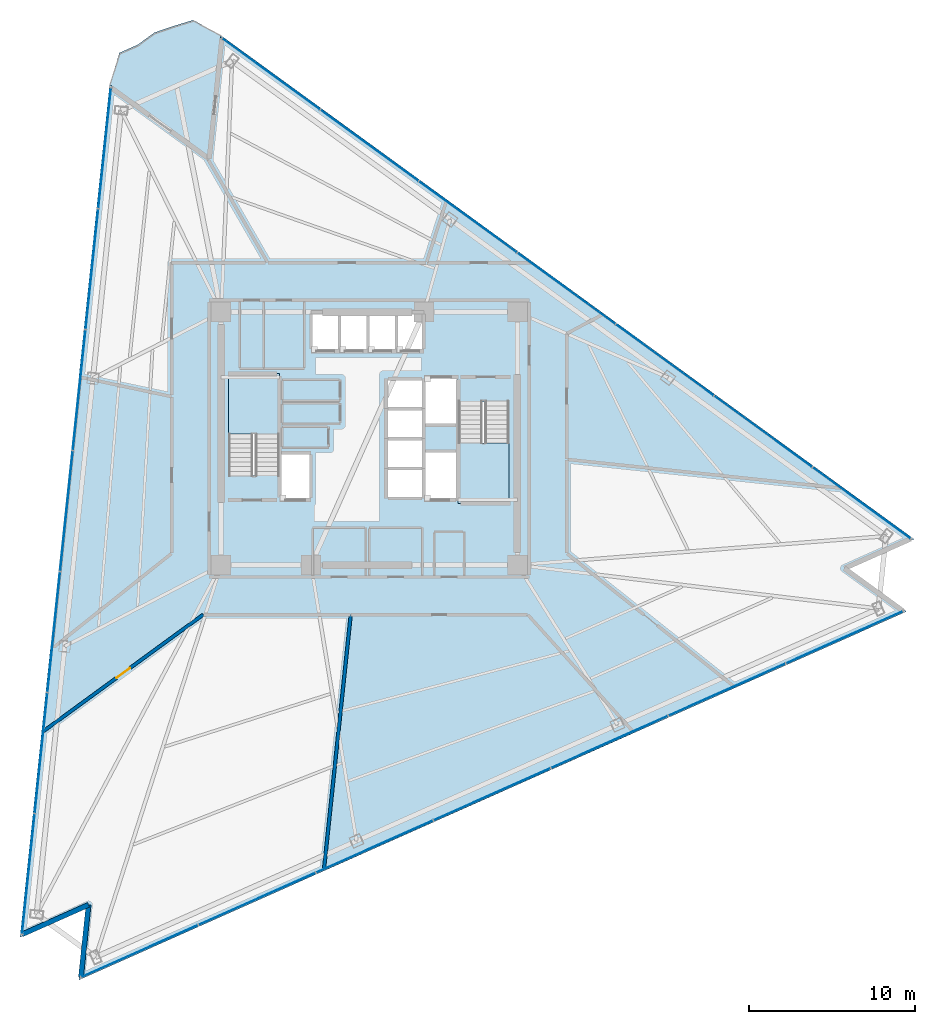
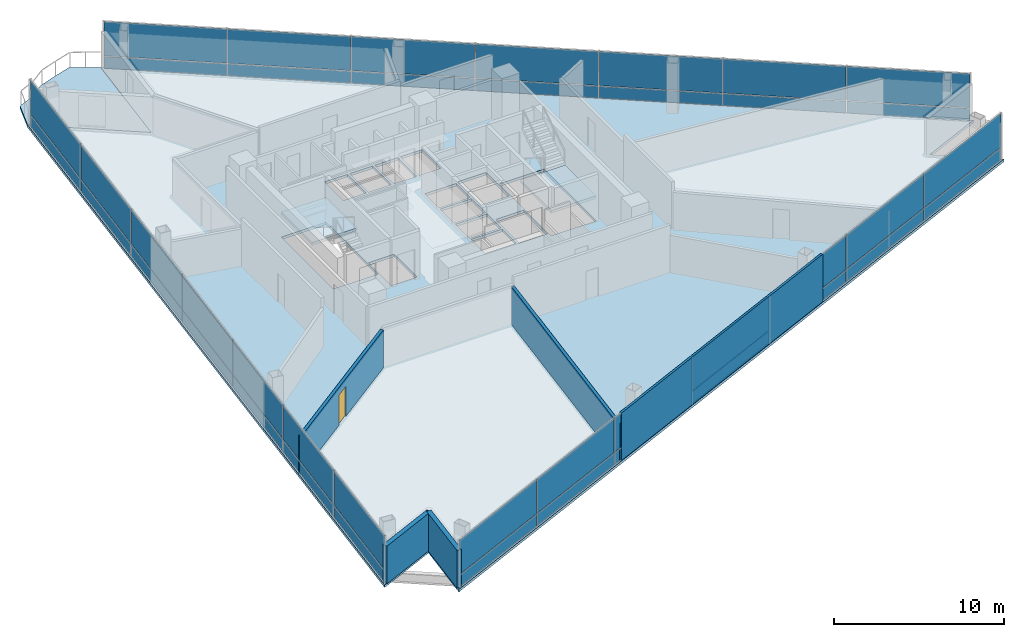
# One storey, part 10 of 19: 42 plates, 5 walls, 4 slabs, 1 door, 1 opening, 5 elements without a shape of their own.
"""IFC4 building model written with IfcOpenShell, lengths in metres."""

import ifcopenshell
import ifcopenshell.guid

model = None  # the IFC model being written
_history = None  # IfcOwnerHistory: only IFC2X3 demands one
_inside = {}  # id of a spatial element -> (the spatial element, [elements in it])
_under = {}  # id of a project, library or spatial element -> (it, [spatial elements below it])
_declared = {}  # id of a project -> (the project, [libraries it declares])
_typed = {}  # id of a type object -> (the type object, [elements of that type])
_made_of = {}  # id of a material, layer set ... -> (it, [elements and type objects made of it])


def new_model(schema):
    """Start an empty IFC model of exactly this schema.

    Asked for "IFC4X3", IfcOpenShell would pick the latest addendum, in which some entities
    have other attributes; the version numbers below select the first issue.
    IFC2X3 requires an IfcOwnerHistory on every rooted entity: one is made here for all.
    """
    global model, _history
    if schema == "IFC4X3":
        model = ifcopenshell.file(schema_version=(4, 3, 0, 0))
    else:
        model = ifcopenshell.file(schema=schema)
    _inside.clear()
    _under.clear()
    _declared.clear()
    _typed.clear()
    _made_of.clear()
    _history = None
    if model.schema == "IFC2X3":
        org = make("IfcOrganization", Name="unknown")
        user = make(
            "IfcPersonAndOrganization",
            ThePerson=make("IfcPerson", FamilyName="unknown"),
            TheOrganization=org,
        )
        app = make(
            "IfcApplication",
            ApplicationDeveloper=org,
            Version="unknown",
            ApplicationFullName="unknown",
            ApplicationIdentifier="unknown",
        )
        _history = make(
            "IfcOwnerHistory",
            OwningUser=user,
            OwningApplication=app,
            ChangeAction="ADDED",
            CreationDate=0,
        )
    return model


def make(cls, **values):
    """One entity of the class cls with the attributes given. An attribute that is None is left unset."""
    return model.create_entity(
        cls, **{name: value for name, value in values.items() if value is not None}
    )


def rooted(cls, **values):
    """An entity with a GlobalId (a new one), such as an element, a storey or a relation."""
    return make(cls, GlobalId=ifcopenshell.guid.new(), OwnerHistory=_history, **values)


def si_unit(unit_type, name, prefix=None):
    """IfcSIUnit, for example si_unit("LENGTHUNIT", "METRE", prefix="MILLI")."""
    return make("IfcSIUnit", UnitType=unit_type, Prefix=prefix, Name=name)


def assignment(units):
    """IfcUnitAssignment: the units of a project."""
    return None if units is None else make("IfcUnitAssignment", Units=units)


def point(xyz):
    """IfcCartesianPoint."""
    return None if xyz is None else make("IfcCartesianPoint", Coordinates=xyz)


def direction(xyz):
    """IfcDirection."""
    return None if xyz is None else make("IfcDirection", DirectionRatios=xyz)


def frame(location, z_axis=None, x_axis=None):
    """IfcAxis2Placement3D, a coordinate frame: its origin and axes. An axis left out is left unset."""
    return make(
        "IfcAxis2Placement3D",
        Location=point(location),
        Axis=direction(z_axis),
        RefDirection=direction(x_axis),
    )


def frame_2d(location, x_axis=None):
    """IfcAxis2Placement2D, a coordinate frame in the plane: its origin and x axis."""
    return make(
        "IfcAxis2Placement2D", Location=point(location), RefDirection=direction(x_axis)
    )


def origin():
    """The frame at (0, 0, 0) with its axes left unset."""
    return frame((0.0, 0.0, 0.0))


def origin_2d():
    """The frame at (0, 0) in the plane with its x axis left unset."""
    return frame_2d((0.0, 0.0))


def place(relative_to, where):
    """IfcLocalPlacement: puts the frame where relative to a parent placement (None: the world)."""
    return make(
        "IfcLocalPlacement", PlacementRelTo=relative_to, RelativePlacement=where
    )


def context(
    kind, dimensions, precision=None, world=None, true_north=None, identifier=None
):
    """IfcGeometricRepresentationContext, for example the 3D "Model" context."""
    return make(
        "IfcGeometricRepresentationContext",
        ContextIdentifier=identifier,
        ContextType=kind,
        CoordinateSpaceDimension=dimensions,
        Precision=precision,
        WorldCoordinateSystem=world,
        TrueNorth=true_north,
    )


def subcontext(parent, identifier, kind, view, scale=None):
    """IfcGeometricRepresentationSubContext, for example "Body" below "Model"."""
    return make(
        "IfcGeometricRepresentationSubContext",
        ContextIdentifier=identifier,
        ContextType=kind,
        ParentContext=parent,
        TargetScale=scale,
        TargetView=view,
    )


def project(units=None, contexts=None):
    """IfcProject with its units and contexts."""
    return rooted(
        "IfcProject",
        Name="project",
        RepresentationContexts=contexts,
        UnitsInContext=assignment(units),
    )


def spatial(cls, under=None, at=None, **own):
    """A site, building, storey or space (cls), placed at a placement, below another one or the project."""
    s = rooted(cls, ObjectPlacement=at, **own)
    if under is not None:
        _under.setdefault(under.id(), (under, []))[1].append(s)
    return s


def polyline(points):
    """IfcPolyline through the points."""
    return make("IfcPolyline", Points=[point(p) for p in points])


def profile(cls, at=None, kind="AREA", **sizes):
    """A parametric profile (cls). Its sizes go by their IFC names, for example OverallWidth=200.0."""
    return make(cls, ProfileType=kind, Position=at, **sizes)


def rectangle(**sizes):
    """IfcRectangleProfileDef."""
    return profile("IfcRectangleProfileDef", **sizes)


def outline(outer, holes=None, kind="AREA"):
    """IfcArbitraryClosedProfileDef: a profile drawn as a closed curve; with holes, ...WithVoids."""
    if holes is None:
        return make("IfcArbitraryClosedProfileDef", ProfileType=kind, OuterCurve=outer)
    return make(
        "IfcArbitraryProfileDefWithVoids",
        ProfileType=kind,
        OuterCurve=outer,
        InnerCurves=holes,
    )


def extrude(swept, where, along, depth):
    """IfcExtrudedAreaSolid: the profile swept, set in the frame where, extruded along a direction by depth."""
    return make(
        "IfcExtrudedAreaSolid",
        SweptArea=swept,
        Position=where,
        ExtrudedDirection=direction(along),
        Depth=depth,
    )


def shape(context_of_items, identifier, shape_type, items):
    """IfcShapeRepresentation: the items that make up one representation, for example the "Body"."""
    return make(
        "IfcShapeRepresentation",
        ContextOfItems=context_of_items,
        RepresentationIdentifier=identifier,
        RepresentationType=shape_type,
        Items=items,
    )


def material(Name=None, Category=None):
    """IfcMaterial."""
    return make("IfcMaterial", Name=Name, Category=Category)


def layer(
    of_material, thickness, ventilated=None, Name=None, Category=None, Priority=None
):
    """IfcMaterialLayer: one layer of a wall or slab, of a material (None: an air gap)."""
    return make(
        "IfcMaterialLayer",
        Material=of_material,
        LayerThickness=thickness,
        IsVentilated=ventilated,
        Name=Name,
        Category=Category,
        Priority=Priority,
    )


def layer_set(layers, Name=None):
    """IfcMaterialLayerSet."""
    return make("IfcMaterialLayerSet", MaterialLayers=layers, LayerSetName=Name)


def made_of(thing, what):
    """Note that an element or type object is made of a material, layer set ...; save() writes the relation."""
    if what is not None:
        _made_of.setdefault(what.id(), (what, []))[1].append(thing)
    return thing


def type_object(cls, material=None, **own):
    """A type object (cls), such as IfcWallType, which elements share."""
    return made_of(rooted(cls, **own), material)


def element(
    cls,
    number,
    at=None,
    inside=None,
    cuts=None,
    type_object=None,
    material=None,
    context=None,
    identifier="Body",
    shape_type=None,
    held_by="IfcProductDefinitionShape",
    body=None,
    shapes=None,
    **own,
):
    """One element of the class cls, such as IfcWall. Its Tag is "e" and its number.

    at: its placement. inside: the storey or other place that contains it. cuts: it is an
    opening in that element (IfcRelVoidsElement). A single representation is given by context,
    identifier, shape_type and body (its items); several are given by shapes. held_by: the class
    of the entity that holds the representations. save() writes the other relations.
    """
    e = rooted(cls, Tag="e%d" % number, ObjectPlacement=at, **own)
    if body is not None:
        shapes = [shape(context, identifier, shape_type, body)]
    if shapes is not None:
        e.Representation = make(held_by, Representations=shapes)
    if inside is not None:
        _inside.setdefault(inside.id(), (inside, []))[1].append(e)
    if cuts is not None:
        rooted(
            "IfcRelVoidsElement", RelatingBuildingElement=cuts, RelatedOpeningElement=e
        )
    if type_object is not None:
        _typed.setdefault(type_object.id(), (type_object, []))[1].append(e)
    return made_of(e, material)


def fill(opening, filler):
    """IfcRelFillsElement: the door or window that sits in an opening."""
    return rooted(
        "IfcRelFillsElement",
        RelatingOpeningElement=opening,
        RelatedBuildingElement=filler,
    )


def aggregate(whole, parts):
    """IfcRelAggregates: a whole, such as a stair, and the parts it consists of."""
    return rooted("IfcRelAggregates", RelatingObject=whole, RelatedObjects=parts)


def save(model, path):
    """Write the relations noted so far, then the file.

    IfcRelAggregates (storeys below a building ...), IfcRelContainedInSpatialStructure (elements
    in a storey), IfcRelDefinesByType, IfcRelAssociatesMaterial and IfcRelDeclares: one each for
    every whole, place, type object, material and project.
    """
    for whole, parts in _under.values():
        aggregate(whole, parts)
    for where, things in _inside.values():
        rooted(
            "IfcRelContainedInSpatialStructure",
            RelatedElements=things,
            RelatingStructure=where,
        )
    for kind, things in _typed.values():
        rooted("IfcRelDefinesByType", RelatedObjects=things, RelatingType=kind)
    for what, things in _made_of.values():
        rooted("IfcRelAssociatesMaterial", RelatedObjects=things, RelatingMaterial=what)
    for by, libraries in _declared.values():
        rooted("IfcRelDeclares", RelatingContext=by, RelatedDefinitions=libraries)
    model.write(path)


model = new_model("IFC4")

# Units and contexts
model_context = context("Model", 3, precision=1e-05, world=origin(), true_north=direction((0.0, 1.0)))
body_context = subcontext(model_context, "Body", "Model", "MODEL_VIEW")
ifc_project = project(units=[si_unit("LENGTHUNIT", "METRE"), si_unit("AREAUNIT", "SQUARE_METRE"), si_unit("VOLUMEUNIT", "CUBIC_METRE"), si_unit("PLANEANGLEUNIT", "RADIAN"), si_unit("MASSUNIT", "GRAM", prefix="KILO")], contexts=[model_context])

# Site, building, storey
site_placement = place(None, origin())
site = spatial("IfcSite", under=ifc_project, at=site_placement, CompositionType="ELEMENT")
building_placement = place(site_placement, origin())
building = spatial("IfcBuilding", under=site, at=building_placement, Name="Tharavind Bronze Gate", CompositionType="ELEMENT")
storey_placement = place(building_placement, frame((0.0, 0.0, 126.85009765625)))
storey = spatial("IfcBuildingStorey", under=building, at=storey_placement, Name="L32", CompositionType="ELEMENT", Elevation=126.85009765625)

# Curtain wall, plates
ifc_material_1 = material(Name="Anodised Bronze Aluminium", Category="aluminium")
ifc_layer_1 = layer(ifc_material_1, 0.219970703125)
ifc_layer_set_1 = layer_set([ifc_layer_1], Name="Anodised Bronze Aluminium")
curtain_wall_type = type_object("IfcCurtainWallType", Name="UNITISED CURTAIN WALL LOWER OFFICE", PredefinedType="USERDEFINED", material=ifc_layer_set_1)
curtain_wall_1_placement = place(storey_placement, origin())
curtain_wall_1 = element("IfcCurtainWall", 1, at=curtain_wall_1_placement, inside=storey, type_object=curtain_wall_type, Name="L32 unitised curtain wall lower office CW-L32-S1", ObjectType="UNITISED CURTAIN WALL", PredefinedType="USERDEFINED")
ifc_material_2 = material(Name="Patinated Bronze Alloy Sheet", Category="bronze")
ifc_layer_2 = layer(ifc_material_2, 0.01611328125)
ifc_layer_set_2 = layer_set([ifc_layer_2], Name="Patinated Bronze Alloy Sheet")
plate_type_1 = type_object("IfcPlateType", Name="BRONZE SPANDREL CLADDING PANEL 16", PredefinedType="CURTAIN_PANEL", material=ifc_layer_set_2)
plate_1_placement = place(storey_placement, frame((-15.909912109375, 17.465087890625, 0.0263671875), z_axis=(0.0, 0.0, 1.0), x_axis=(-0.104526727499, -0.994522077803, 0.0)))
plate_1 = element("IfcPlate", 2, at=plate_1_placement, type_object=plate_type_1, Name="CW-L32-S1 bronze spandrel panel 1", PredefinedType="CURTAIN_PANEL", context=body_context, shape_type="SweptSolid", body=[
    extrude(rectangle(XDim=7.26025390625, YDim=0.01611328125, at=origin_2d()), origin(), (0.0, 0.0, 1.0), 0.846923828125),
])
plate_2_placement = place(storey_placement, frame((-16.67431640625, 10.19189453125, 0.0263671875), z_axis=(0.0, 0.0, 1.0), x_axis=(-0.104526727499, -0.994522077803, 0.0)))
plate_2 = element("IfcPlate", 3, at=plate_2_placement, type_object=plate_type_1, Name="CW-L32-S1 bronze spandrel panel 2", PredefinedType="CURTAIN_PANEL", context=body_context, shape_type="SweptSolid", body=[
    extrude(rectangle(XDim=7.26025390625, YDim=0.01611328125, at=origin_2d()), origin(), (0.0, 0.0, 1.0), 0.846923828125),
])
plate_3_placement = place(storey_placement, frame((-17.438720703125, 2.91845703125, 0.0263671875), z_axis=(0.0, 0.0, 1.0), x_axis=(-0.104526727499, -0.994522077803, 0.0)))
plate_3 = element("IfcPlate", 4, at=plate_3_placement, type_object=plate_type_1, Name="CW-L32-S1 bronze spandrel panel 3", PredefinedType="CURTAIN_PANEL", context=body_context, shape_type="SweptSolid", body=[
    extrude(rectangle(XDim=7.26025390625, YDim=0.01611328125, at=origin_2d()), origin(), (0.0, 0.0, 1.0), 0.846923828125),
])
plate_4_placement = place(storey_placement, frame((-18.203125, -4.354736328125, 0.0263671875), z_axis=(0.0, 0.0, 1.0), x_axis=(-0.104526727499, -0.994522077803, 0.0)))
plate_4 = element("IfcPlate", 5, at=plate_4_placement, type_object=plate_type_1, Name="CW-L32-S1 bronze spandrel panel 4", PredefinedType="CURTAIN_PANEL", context=body_context, shape_type="SweptSolid", body=[
    extrude(rectangle(XDim=7.26025390625, YDim=0.01611328125, at=origin_2d()), origin(), (0.0, 0.0, 1.0), 0.846923828125),
])
plate_5_placement = place(storey_placement, frame((-18.967529296875, -11.628173828125, 0.0263671875), z_axis=(0.0, 0.0, 1.0), x_axis=(-0.104526727499, -0.994522077803, 0.0)))
plate_5 = element("IfcPlate", 6, at=plate_5_placement, type_object=plate_type_1, Name="CW-L32-S1 bronze spandrel panel 5", PredefinedType="CURTAIN_PANEL", context=body_context, shape_type="SweptSolid", body=[
    extrude(rectangle(XDim=7.26025390625, YDim=0.01611328125, at=origin_2d()), origin(), (0.0, 0.0, 1.0), 0.846923828125),
])
plate_6_placement = place(storey_placement, frame((-19.73193359375, -18.9013671875, 0.0263671875), z_axis=(0.0, 0.0, 1.0), x_axis=(-0.104526727499, -0.994522077803, 0.0)))
plate_6 = element("IfcPlate", 7, at=plate_6_placement, type_object=plate_type_1, Name="CW-L32-S1 bronze spandrel panel 6", PredefinedType="CURTAIN_PANEL", context=body_context, shape_type="SweptSolid", body=[
    extrude(rectangle(XDim=7.26025390625, YDim=0.01611328125, at=origin_2d()), origin(), (0.0, 0.0, 1.0), 0.846923828125),
])
plate_7_placement = place(storey_placement, frame((-20.49658203125, -26.1748046875, 0.0263671875), z_axis=(0.0, 0.0, 1.0), x_axis=(-0.104526727499, -0.994522077803, 0.0)))
plate_7 = element("IfcPlate", 8, at=plate_7_placement, type_object=plate_type_1, Name="CW-L32-S1 bronze spandrel panel 7", PredefinedType="CURTAIN_PANEL", context=body_context, shape_type="SweptSolid", body=[
    extrude(rectangle(XDim=7.26025390625, YDim=0.01611328125, at=origin_2d()), origin(), (0.0, 0.0, 1.0), 0.846923828125),
])

curtain_wall_2_placement = place(storey_placement, origin())
curtain_wall_2 = element("IfcCurtainWall", 9, at=curtain_wall_2_placement, inside=storey, type_object=curtain_wall_type, Name="L32 unitised curtain wall lower office CW-L32-S2", ObjectType="UNITISED CURTAIN WALL", PredefinedType="USERDEFINED")
plate_8_placement = place(storey_placement, frame((-13.80419921875, -30.813720703125, 0.0263671875), z_axis=(0.0, 0.0, 1.0), x_axis=(0.913545457643, 0.406736643076, 0.0)))
plate_8 = element("IfcPlate", 10, at=plate_8_placement, type_object=plate_type_1, Name="CW-L32-S2 bronze spandrel panel 1", PredefinedType="CURTAIN_PANEL", context=body_context, shape_type="SweptSolid", body=[
    extrude(rectangle(XDim=7.677490234375, YDim=0.01611328125, at=origin_2d()), origin(), (0.0, 0.0, 1.0), 0.846923828125),
])
plate_9_placement = place(storey_placement, frame((-6.741943359375, -27.66943359375, 0.0263671875), z_axis=(0.0, 0.0, 1.0), x_axis=(0.913545457643, 0.406736643076, 0.0)))
plate_9 = element("IfcPlate", 11, at=plate_9_placement, type_object=plate_type_1, Name="CW-L32-S2 bronze spandrel panel 2", PredefinedType="CURTAIN_PANEL", context=body_context, shape_type="SweptSolid", body=[
    extrude(rectangle(XDim=7.677490234375, YDim=0.01611328125, at=origin_2d()), origin(), (0.0, 0.0, 1.0), 0.846923828125),
])
plate_10_placement = place(storey_placement, frame((0.3203125, -24.525146484375, 0.0263671875), z_axis=(0.0, 0.0, 1.0), x_axis=(0.913545457643, 0.406736643076, 0.0)))
plate_10 = element("IfcPlate", 12, at=plate_10_placement, type_object=plate_type_1, Name="CW-L32-S2 bronze spandrel panel 3", PredefinedType="CURTAIN_PANEL", context=body_context, shape_type="SweptSolid", body=[
    extrude(rectangle(XDim=7.677490234375, YDim=0.01611328125, at=origin_2d()), origin(), (0.0, 0.0, 1.0), 0.846923828125),
])
plate_11_placement = place(storey_placement, frame((7.38232421875, -21.380859375, 0.0263671875), z_axis=(0.0, 0.0, 1.0), x_axis=(0.913545457643, 0.406736643076, 0.0)))
plate_11 = element("IfcPlate", 13, at=plate_11_placement, type_object=plate_type_1, Name="CW-L32-S2 bronze spandrel panel 4", PredefinedType="CURTAIN_PANEL", context=body_context, shape_type="SweptSolid", body=[
    extrude(rectangle(XDim=7.677490234375, YDim=0.01611328125, at=origin_2d()), origin(), (0.0, 0.0, 1.0), 0.846923828125),
])
plate_12_placement = place(storey_placement, frame((14.4443359375, -18.236572265625, 0.0263671875), z_axis=(0.0, 0.0, 1.0), x_axis=(0.913545457643, 0.406736643076, 0.0)))
plate_12 = element("IfcPlate", 14, at=plate_12_placement, type_object=plate_type_1, Name="CW-L32-S2 bronze spandrel panel 5", PredefinedType="CURTAIN_PANEL", context=body_context, shape_type="SweptSolid", body=[
    extrude(rectangle(XDim=7.677490234375, YDim=0.01611328125, at=origin_2d()), origin(), (0.0, 0.0, 1.0), 0.846923828125),
])
plate_13_placement = place(storey_placement, frame((21.506591796875, -15.09228515625, 0.0263671875), z_axis=(0.0, 0.0, 1.0), x_axis=(0.913545457643, 0.406736643076, 0.0)))
plate_13 = element("IfcPlate", 15, at=plate_13_placement, type_object=plate_type_1, Name="CW-L32-S2 bronze spandrel panel 6", PredefinedType="CURTAIN_PANEL", context=body_context, shape_type="SweptSolid", body=[
    extrude(rectangle(XDim=7.677490234375, YDim=0.01611328125, at=origin_2d()), origin(), (0.0, 0.0, 1.0), 0.846923828125),
])
plate_14_placement = place(storey_placement, frame((28.568603515625, -11.947998046875, 0.0263671875), z_axis=(0.0, 0.0, 1.0), x_axis=(0.913545457643, 0.406736643076, 0.0)))
plate_14 = element("IfcPlate", 16, at=plate_14_placement, type_object=plate_type_1, Name="CW-L32-S2 bronze spandrel panel 7", PredefinedType="CURTAIN_PANEL", context=body_context, shape_type="SweptSolid", body=[
    extrude(rectangle(XDim=7.677490234375, YDim=0.01611328125, at=origin_2d()), origin(), (0.0, 0.0, 1.0), 0.846923828125),
])

curtain_wall_3_placement = place(storey_placement, origin())
curtain_wall_3 = element("IfcCurtainWall", 17, at=curtain_wall_3_placement, inside=storey, type_object=curtain_wall_type, Name="L32 unitised curtain wall lower office CW-L32-S3", ObjectType="UNITISED CURTAIN WALL", PredefinedType="USERDEFINED")
plate_15_placement = place(storey_placement, frame((29.599365234375, -3.87060546875, 0.0263671875), z_axis=(0.0, 0.0, 1.0), x_axis=(-0.809016994375, 0.587785252292, 0.0)))
plate_15 = element("IfcPlate", 18, at=plate_15_placement, type_object=plate_type_1, Name="CW-L32-S3 bronze spandrel panel 1", PredefinedType="CURTAIN_PANEL", context=body_context, shape_type="SweptSolid", body=[
    extrude(rectangle(XDim=7.260498046875, YDim=0.01611328125, at=origin_2d()), origin(), (0.0, 0.0, 1.0), 0.846923828125),
])
plate_16_placement = place(storey_placement, frame((23.6826171875, 0.427978515625, 0.0263671875), z_axis=(0.0, 0.0, 1.0), x_axis=(-0.809016994375, 0.587785252292, 0.0)))
plate_16 = element("IfcPlate", 19, at=plate_16_placement, type_object=plate_type_1, Name="CW-L32-S3 bronze spandrel panel 2", PredefinedType="CURTAIN_PANEL", context=body_context, shape_type="SweptSolid", body=[
    extrude(rectangle(XDim=7.260498046875, YDim=0.01611328125, at=origin_2d()), origin(), (0.0, 0.0, 1.0), 0.846923828125),
])
plate_17_placement = place(storey_placement, frame((17.76611328125, 4.726806640625, 0.0263671875), z_axis=(0.0, 0.0, 1.0), x_axis=(-0.809016994375, 0.587785252292, 0.0)))
plate_17 = element("IfcPlate", 20, at=plate_17_placement, type_object=plate_type_1, Name="CW-L32-S3 bronze spandrel panel 3", PredefinedType="CURTAIN_PANEL", context=body_context, shape_type="SweptSolid", body=[
    extrude(rectangle(XDim=7.260498046875, YDim=0.01611328125, at=origin_2d()), origin(), (0.0, 0.0, 1.0), 0.846923828125),
])
plate_18_placement = place(storey_placement, frame((11.849365234375, 9.025390625, 0.0263671875), z_axis=(0.0, 0.0, 1.0), x_axis=(-0.809016994375, 0.587785252292, 0.0)))
plate_18 = element("IfcPlate", 21, at=plate_18_placement, type_object=plate_type_1, Name="CW-L32-S3 bronze spandrel panel 4", PredefinedType="CURTAIN_PANEL", context=body_context, shape_type="SweptSolid", body=[
    extrude(rectangle(XDim=7.260498046875, YDim=0.01611328125, at=origin_2d()), origin(), (0.0, 0.0, 1.0), 0.846923828125),
])
plate_19_placement = place(storey_placement, frame((5.932861328125, 13.32421875, 0.0263671875), z_axis=(0.0, 0.0, 1.0), x_axis=(-0.809016994375, 0.587785252292, 0.0)))
plate_19 = element("IfcPlate", 22, at=plate_19_placement, type_object=plate_type_1, Name="CW-L32-S3 bronze spandrel panel 5", PredefinedType="CURTAIN_PANEL", context=body_context, shape_type="SweptSolid", body=[
    extrude(rectangle(XDim=7.260498046875, YDim=0.01611328125, at=origin_2d()), origin(), (0.0, 0.0, 1.0), 0.846923828125),
])
plate_20_placement = place(storey_placement, frame((0.01611328125, 17.622802734375, 0.0263671875), z_axis=(0.0, 0.0, 1.0), x_axis=(-0.809016994375, 0.587785252292, 0.0)))
plate_20 = element("IfcPlate", 23, at=plate_20_placement, type_object=plate_type_1, Name="CW-L32-S3 bronze spandrel panel 6", PredefinedType="CURTAIN_PANEL", context=body_context, shape_type="SweptSolid", body=[
    extrude(rectangle(XDim=7.260498046875, YDim=0.01611328125, at=origin_2d()), origin(), (0.0, 0.0, 1.0), 0.846923828125),
])
plate_21_placement = place(storey_placement, frame((-5.900390625, 21.921630859375, 0.0263671875), z_axis=(0.0, 0.0, 1.0), x_axis=(-0.809016994375, 0.587785252292, 0.0)))
plate_21 = element("IfcPlate", 24, at=plate_21_placement, type_object=plate_type_1, Name="CW-L32-S3 bronze spandrel panel 7", PredefinedType="CURTAIN_PANEL", context=body_context, shape_type="SweptSolid", body=[
    extrude(rectangle(XDim=7.260498046875, YDim=0.01611328125, at=origin_2d()), origin(), (0.0, 0.0, 1.0), 0.846923828125),
])

# Plate
ifc_material_3 = material(Name="Low-E Double Glazing", Category="glass")
ifc_layer_3 = layer(ifc_material_3, 0.031982421875)
ifc_layer_set_3 = layer_set([ifc_layer_3], Name="Low-E Double Glazing")
plate_type_2 = type_object("IfcPlateType", Name="DOUBLE GLAZED FACADE PANEL 32", PredefinedType="CURTAIN_PANEL", material=ifc_layer_set_3)
plate_22_placement = place(storey_placement, frame((-15.909912109375, 17.465087890625, 0.92626953125), z_axis=(0.0, 0.0, 1.0), x_axis=(-0.104526727499, -0.994522077803, 0.0)))
plate_22 = element("IfcPlate", 25, at=plate_22_placement, type_object=plate_type_2, Name="CW-L32-S1 vision glazing panel 1", PredefinedType="CURTAIN_PANEL", context=body_context, shape_type="SweptSolid", body=[
    extrude(rectangle(XDim=7.26025390625, YDim=0.031982421875, at=origin_2d()), origin(), (0.0, 0.0, 1.0), 2.45703125),
])

plate_23_placement = place(storey_placement, frame((-16.67431640625, 10.19189453125, 0.92626953125), z_axis=(0.0, 0.0, 1.0), x_axis=(-0.104526727499, -0.994522077803, 0.0)))
plate_23 = element("IfcPlate", 26, at=plate_23_placement, type_object=plate_type_2, Name="CW-L32-S1 vision glazing panel 2", PredefinedType="CURTAIN_PANEL", context=body_context, shape_type="SweptSolid", body=[
    extrude(rectangle(XDim=7.26025390625, YDim=0.031982421875, at=origin_2d()), origin(), (0.0, 0.0, 1.0), 2.45703125),
])

plate_24_placement = place(storey_placement, frame((-17.438720703125, 2.91845703125, 0.92626953125), z_axis=(0.0, 0.0, 1.0), x_axis=(-0.104526727499, -0.994522077803, 0.0)))
plate_24 = element("IfcPlate", 27, at=plate_24_placement, type_object=plate_type_2, Name="CW-L32-S1 vision glazing panel 3", PredefinedType="CURTAIN_PANEL", context=body_context, shape_type="SweptSolid", body=[
    extrude(rectangle(XDim=7.26025390625, YDim=0.031982421875, at=origin_2d()), origin(), (0.0, 0.0, 1.0), 2.45703125),
])

plate_25_placement = place(storey_placement, frame((-18.203125, -4.354736328125, 0.92626953125), z_axis=(0.0, 0.0, 1.0), x_axis=(-0.104526727499, -0.994522077803, 0.0)))
plate_25 = element("IfcPlate", 28, at=plate_25_placement, type_object=plate_type_2, Name="CW-L32-S1 vision glazing panel 4", PredefinedType="CURTAIN_PANEL", context=body_context, shape_type="SweptSolid", body=[
    extrude(rectangle(XDim=7.26025390625, YDim=0.031982421875, at=origin_2d()), origin(), (0.0, 0.0, 1.0), 2.45703125),
])

plate_26_placement = place(storey_placement, frame((-18.967529296875, -11.628173828125, 0.92626953125), z_axis=(0.0, 0.0, 1.0), x_axis=(-0.104526727499, -0.994522077803, 0.0)))
plate_26 = element("IfcPlate", 29, at=plate_26_placement, type_object=plate_type_2, Name="CW-L32-S1 vision glazing panel 5", PredefinedType="CURTAIN_PANEL", context=body_context, shape_type="SweptSolid", body=[
    extrude(rectangle(XDim=7.26025390625, YDim=0.031982421875, at=origin_2d()), origin(), (0.0, 0.0, 1.0), 2.45703125),
])

plate_27_placement = place(storey_placement, frame((-19.73193359375, -18.9013671875, 0.92626953125), z_axis=(0.0, 0.0, 1.0), x_axis=(-0.104526727499, -0.994522077803, 0.0)))
plate_27 = element("IfcPlate", 30, at=plate_27_placement, type_object=plate_type_2, Name="CW-L32-S1 vision glazing panel 6", PredefinedType="CURTAIN_PANEL", context=body_context, shape_type="SweptSolid", body=[
    extrude(rectangle(XDim=7.26025390625, YDim=0.031982421875, at=origin_2d()), origin(), (0.0, 0.0, 1.0), 2.45703125),
])

plate_28_placement = place(storey_placement, frame((-20.49658203125, -26.1748046875, 0.92626953125), z_axis=(0.0, 0.0, 1.0), x_axis=(-0.104526727499, -0.994522077803, 0.0)))
plate_28 = element("IfcPlate", 31, at=plate_28_placement, type_object=plate_type_2, Name="CW-L32-S1 vision glazing panel 7", PredefinedType="CURTAIN_PANEL", context=body_context, shape_type="SweptSolid", body=[
    extrude(rectangle(XDim=7.26025390625, YDim=0.031982421875, at=origin_2d()), origin(), (0.0, 0.0, 1.0), 2.45703125),
])

aggregate(curtain_wall_1, [plate_1, plate_22, plate_2, plate_23, plate_3, plate_24, plate_4, plate_25, plate_5, plate_26, plate_6, plate_27, plate_7, plate_28])

plate_29_placement = place(storey_placement, frame((-13.80419921875, -30.813720703125, 0.92626953125), z_axis=(0.0, 0.0, 1.0), x_axis=(0.913545457643, 0.406736643076, 0.0)))
plate_29 = element("IfcPlate", 32, at=plate_29_placement, type_object=plate_type_2, Name="CW-L32-S2 vision glazing panel 1", PredefinedType="CURTAIN_PANEL", context=body_context, shape_type="SweptSolid", body=[
    extrude(rectangle(XDim=7.677490234375, YDim=0.031982421875, at=origin_2d()), origin(), (0.0, 0.0, 1.0), 2.45703125),
])

plate_30_placement = place(storey_placement, frame((-6.741943359375, -27.66943359375, 0.92626953125), z_axis=(0.0, 0.0, 1.0), x_axis=(0.913545457643, 0.406736643076, 0.0)))
plate_30 = element("IfcPlate", 33, at=plate_30_placement, type_object=plate_type_2, Name="CW-L32-S2 vision glazing panel 2", PredefinedType="CURTAIN_PANEL", context=body_context, shape_type="SweptSolid", body=[
    extrude(rectangle(XDim=7.677490234375, YDim=0.031982421875, at=origin_2d()), origin(), (0.0, 0.0, 1.0), 2.45703125),
])

plate_31_placement = place(storey_placement, frame((0.3203125, -24.525146484375, 0.92626953125), z_axis=(0.0, 0.0, 1.0), x_axis=(0.913545457643, 0.406736643076, 0.0)))
plate_31 = element("IfcPlate", 34, at=plate_31_placement, type_object=plate_type_2, Name="CW-L32-S2 vision glazing panel 3", PredefinedType="CURTAIN_PANEL", context=body_context, shape_type="SweptSolid", body=[
    extrude(rectangle(XDim=7.677490234375, YDim=0.031982421875, at=origin_2d()), origin(), (0.0, 0.0, 1.0), 2.45703125),
])

plate_32_placement = place(storey_placement, frame((7.38232421875, -21.380859375, 0.92626953125), z_axis=(0.0, 0.0, 1.0), x_axis=(0.913545457643, 0.406736643076, 0.0)))
plate_32 = element("IfcPlate", 35, at=plate_32_placement, type_object=plate_type_2, Name="CW-L32-S2 vision glazing panel 4", PredefinedType="CURTAIN_PANEL", context=body_context, shape_type="SweptSolid", body=[
    extrude(rectangle(XDim=7.677490234375, YDim=0.031982421875, at=origin_2d()), origin(), (0.0, 0.0, 1.0), 2.45703125),
])

plate_33_placement = place(storey_placement, frame((14.4443359375, -18.236572265625, 0.92626953125), z_axis=(0.0, 0.0, 1.0), x_axis=(0.913545457643, 0.406736643076, 0.0)))
plate_33 = element("IfcPlate", 36, at=plate_33_placement, type_object=plate_type_2, Name="CW-L32-S2 vision glazing panel 5", PredefinedType="CURTAIN_PANEL", context=body_context, shape_type="SweptSolid", body=[
    extrude(rectangle(XDim=7.677490234375, YDim=0.031982421875, at=origin_2d()), origin(), (0.0, 0.0, 1.0), 2.45703125),
])

plate_34_placement = place(storey_placement, frame((21.506591796875, -15.09228515625, 0.92626953125), z_axis=(0.0, 0.0, 1.0), x_axis=(0.913545457643, 0.406736643076, 0.0)))
plate_34 = element("IfcPlate", 37, at=plate_34_placement, type_object=plate_type_2, Name="CW-L32-S2 vision glazing panel 6", PredefinedType="CURTAIN_PANEL", context=body_context, shape_type="SweptSolid", body=[
    extrude(rectangle(XDim=7.677490234375, YDim=0.031982421875, at=origin_2d()), origin(), (0.0, 0.0, 1.0), 2.45703125),
])

plate_35_placement = place(storey_placement, frame((28.568603515625, -11.947998046875, 0.92626953125), z_axis=(0.0, 0.0, 1.0), x_axis=(0.913545457643, 0.406736643076, 0.0)))
plate_35 = element("IfcPlate", 38, at=plate_35_placement, type_object=plate_type_2, Name="CW-L32-S2 vision glazing panel 7", PredefinedType="CURTAIN_PANEL", context=body_context, shape_type="SweptSolid", body=[
    extrude(rectangle(XDim=7.677490234375, YDim=0.031982421875, at=origin_2d()), origin(), (0.0, 0.0, 1.0), 2.45703125),
])

aggregate(curtain_wall_2, [plate_8, plate_29, plate_9, plate_30, plate_10, plate_31, plate_11, plate_32, plate_12, plate_33, plate_13, plate_34, plate_14, plate_35])

plate_36_placement = place(storey_placement, frame((29.599365234375, -3.87060546875, 0.92626953125), z_axis=(0.0, 0.0, 1.0), x_axis=(-0.809016994375, 0.587785252292, 0.0)))
plate_36 = element("IfcPlate", 39, at=plate_36_placement, type_object=plate_type_2, Name="CW-L32-S3 vision glazing panel 1", PredefinedType="CURTAIN_PANEL", context=body_context, shape_type="SweptSolid", body=[
    extrude(rectangle(XDim=7.260498046875, YDim=0.031982421875, at=origin_2d()), origin(), (0.0, 0.0, 1.0), 2.45703125),
])

plate_37_placement = place(storey_placement, frame((23.6826171875, 0.427978515625, 0.92626953125), z_axis=(0.0, 0.0, 1.0), x_axis=(-0.809016994375, 0.587785252292, 0.0)))
plate_37 = element("IfcPlate", 40, at=plate_37_placement, type_object=plate_type_2, Name="CW-L32-S3 vision glazing panel 2", PredefinedType="CURTAIN_PANEL", context=body_context, shape_type="SweptSolid", body=[
    extrude(rectangle(XDim=7.260498046875, YDim=0.031982421875, at=origin_2d()), origin(), (0.0, 0.0, 1.0), 2.45703125),
])

plate_38_placement = place(storey_placement, frame((17.76611328125, 4.726806640625, 0.92626953125), z_axis=(0.0, 0.0, 1.0), x_axis=(-0.809016994375, 0.587785252292, 0.0)))
plate_38 = element("IfcPlate", 41, at=plate_38_placement, type_object=plate_type_2, Name="CW-L32-S3 vision glazing panel 3", PredefinedType="CURTAIN_PANEL", context=body_context, shape_type="SweptSolid", body=[
    extrude(rectangle(XDim=7.260498046875, YDim=0.031982421875, at=origin_2d()), origin(), (0.0, 0.0, 1.0), 2.45703125),
])

plate_39_placement = place(storey_placement, frame((11.849365234375, 9.025390625, 0.92626953125), z_axis=(0.0, 0.0, 1.0), x_axis=(-0.809016994375, 0.587785252292, 0.0)))
plate_39 = element("IfcPlate", 42, at=plate_39_placement, type_object=plate_type_2, Name="CW-L32-S3 vision glazing panel 4", PredefinedType="CURTAIN_PANEL", context=body_context, shape_type="SweptSolid", body=[
    extrude(rectangle(XDim=7.260498046875, YDim=0.031982421875, at=origin_2d()), origin(), (0.0, 0.0, 1.0), 2.45703125),
])

plate_40_placement = place(storey_placement, frame((5.932861328125, 13.32421875, 0.92626953125), z_axis=(0.0, 0.0, 1.0), x_axis=(-0.809016994375, 0.587785252292, 0.0)))
plate_40 = element("IfcPlate", 43, at=plate_40_placement, type_object=plate_type_2, Name="CW-L32-S3 vision glazing panel 5", PredefinedType="CURTAIN_PANEL", context=body_context, shape_type="SweptSolid", body=[
    extrude(rectangle(XDim=7.260498046875, YDim=0.031982421875, at=origin_2d()), origin(), (0.0, 0.0, 1.0), 2.45703125),
])

plate_41_placement = place(storey_placement, frame((0.01611328125, 17.622802734375, 0.92626953125), z_axis=(0.0, 0.0, 1.0), x_axis=(-0.809016994375, 0.587785252292, 0.0)))
plate_41 = element("IfcPlate", 44, at=plate_41_placement, type_object=plate_type_2, Name="CW-L32-S3 vision glazing panel 6", PredefinedType="CURTAIN_PANEL", context=body_context, shape_type="SweptSolid", body=[
    extrude(rectangle(XDim=7.260498046875, YDim=0.031982421875, at=origin_2d()), origin(), (0.0, 0.0, 1.0), 2.45703125),
])

plate_42_placement = place(storey_placement, frame((-5.900390625, 21.921630859375, 0.92626953125), z_axis=(0.0, 0.0, 1.0), x_axis=(-0.809016994375, 0.587785252292, 0.0)))
plate_42 = element("IfcPlate", 45, at=plate_42_placement, type_object=plate_type_2, Name="CW-L32-S3 vision glazing panel 7", PredefinedType="CURTAIN_PANEL", context=body_context, shape_type="SweptSolid", body=[
    extrude(rectangle(XDim=7.260498046875, YDim=0.031982421875, at=origin_2d()), origin(), (0.0, 0.0, 1.0), 2.45703125),
])

aggregate(curtain_wall_3, [plate_15, plate_36, plate_16, plate_37, plate_17, plate_38, plate_18, plate_39, plate_19, plate_40, plate_20, plate_41, plate_21, plate_42])

# Slab
ifc_material_4 = material(Name="Concrete C40/50", Category="concrete")
ifc_layer_4 = layer(ifc_material_4, 0.179931640625)
ifc_layer_set_4 = layer_set([ifc_layer_4], Name="Concrete C40/50")
slab_type_1 = type_object("IfcSlabType", Name="EXTERIOR BALCONY SLAB 180", PredefinedType="FLOOR", material=ifc_layer_set_4)
slab_1_placement = place(storey_placement, frame((0.0, 0.0, -0.18017578125)))
element("IfcSlab", 46, at=slab_1_placement, inside=storey, type_object=slab_type_1, Name="L32 northeast tree balcony slab", PredefinedType="FLOOR", context=body_context, shape_type="SweptSolid", body=[
    extrude(outline(polyline([(-10.579833984375, 25.165283203125), (-11.75146484375, 24.8056640625), (-12.90869140625, 24.413330078125), (-13.914306640625, 23.680908203125), (-15.02587890625, 23.18603515625), (-15.60888671875, 21.284423828125), (-9.703125, 16.99365234375), (-8.940185546875, 24.253662109375), (-10.579833984375, 25.165283203125)])), origin(), (0.0, 0.0, 1.0), 0.18017578125),
])

# Stair, slab
stair_type = type_object("IfcStairType", Name="CORE HALF TURN STAIR 1450", PredefinedType="HALF_TURN_STAIR", material=ifc_material_4)
stair_1_placement = place(storey_placement, origin())
stair_1 = element("IfcStair", 47, at=stair_1_placement, inside=storey, type_object=stair_type, Name="L32 Protected Exit Stair ST1", PredefinedType="HALF_TURN_STAIR")
ifc_layer_5 = layer(ifc_material_4, 0.199951171875)
ifc_layer_set_5 = layer_set([ifc_layer_5], Name="Concrete C40/50")
slab_type_2 = type_object("IfcSlabType", Name="STAIR LANDING SLAB 200", PredefinedType="LANDING", material=ifc_layer_set_5)
slab_2_placement = place(storey_placement, frame((0.0, 0.0, 1.599853515625)))
slab_2 = element("IfcSlab", 48, at=slab_2_placement, type_object=slab_type_2, Name="ST1 landing 1", PredefinedType="LANDING", context=body_context, shape_type="SweptSolid", body=[
    extrude(outline(polyline([(-5.39990234375, 0.27001953125), (-5.39990234375, 3.89990234375), (-8.449951171875, 3.89990234375), (-8.449951171875, 0.27001953125), (-5.39990234375, 0.27001953125)])), origin(), (0.0, 0.0, 1.0), 0.199951171875),
])
aggregate(stair_1, [slab_2])

stair_2_placement = place(storey_placement, origin())
stair_2 = element("IfcStair", 49, at=stair_2_placement, inside=storey, type_object=stair_type, Name="L32 Protected Exit Stair ST2", PredefinedType="HALF_TURN_STAIR")
slab_3_placement = place(storey_placement, frame((0.0, 0.0, 1.599853515625)))
slab_3 = element("IfcSlab", 50, at=slab_3_placement, type_object=slab_type_2, Name="ST2 landing 1", PredefinedType="LANDING", context=body_context, shape_type="SweptSolid", body=[
    extrude(outline(polyline([(5.35009765625, -0.27001953125), (5.35009765625, -3.89990234375), (8.39990234375, -3.89990234375), (8.39990234375, -0.27001953125), (5.35009765625, -0.27001953125)])), origin(), (0.0, 0.0, 1.0), 0.199951171875),
])
aggregate(stair_2, [slab_3])

# Slab
ifc_layer_6 = layer(ifc_material_4, 0.18994140625)
ifc_layer_set_6 = layer_set([ifc_layer_6], Name="Concrete C40/50")
slab_type_3 = type_object("IfcSlabType", Name="STRUCTURAL FLOOR SLAB 190", PredefinedType="FLOOR", material=ifc_layer_set_6)
slab_4_placement = place(storey_placement, frame((0.0, 0.0, -0.190185546875)))
element("IfcSlab", 51, at=slab_4_placement, inside=storey, type_object=slab_type_3, Name="L32 main structural floor slab", PredefinedType="FLOOR", context=body_context, shape_type="SweptSolid", body=[
    extrude(outline(polyline([(-8.940185546875, 24.253662109375), (-9.703125, 16.99365234375), (-15.60888671875, 21.284423828125), (-20.996337890625, -29.97314453125), (-16.9951171875, -28.191650390625), (-17.452880859375, -32.547607421875), (32.298583984375, -10.396728515625), (28.755126953125, -7.822265625), (32.756591796875, -6.040771484375), (-8.940185546875, 24.253662109375)]), holes=[polyline([(-5.39990234375, -2.215087890625), (-5.39990234375, 3.89990234375), (-8.449951171875, 3.89990234375), (-8.449951171875, -2.215087890625), (-5.39990234375, -2.215087890625)]), polyline([(5.35009765625, 2.215087890625), (5.35009765625, -3.89990234375), (8.39990234375, -3.89990234375), (8.39990234375, 2.215087890625), (5.35009765625, 2.215087890625)]), polyline([(-3.419921875, 5.330078125), (-1.867431640625, 5.330078125), (-1.867431640625, 7.52001953125), (-3.419921875, 7.52001953125), (-3.419921875, 5.330078125)]), polyline([(-1.70751953125, 5.330078125), (-0.155029296875, 5.330078125), (-0.155029296875, 7.52001953125), (-1.70751953125, 7.52001953125), (-1.70751953125, 5.330078125)]), polyline([(0.0048828125, 5.330078125), (1.5576171875, 5.330078125), (1.5576171875, 7.52001953125), (0.0048828125, 7.52001953125), (0.0048828125, 5.330078125)]), polyline([(1.717529296875, 5.330078125), (3.199951171875, 5.330078125), (3.199951171875, 7.52001953125), (1.717529296875, 7.52001953125), (1.717529296875, 5.330078125)]), polyline([(1.080078125, -3.52001953125), (3.199951171875, -3.52001953125), (3.199951171875, -1.8798828125), (1.080078125, -1.8798828125), (1.080078125, -3.52001953125)]), polyline([(1.080078125, -1.719970703125), (3.199951171875, -1.719970703125), (3.199951171875, -0.080078125), (1.080078125, -0.080078125), (1.080078125, -1.719970703125)]), polyline([(1.080078125, 0.080078125), (3.199951171875, 0.080078125), (3.199951171875, 1.719970703125), (1.080078125, 1.719970703125), (1.080078125, 0.080078125)]), polyline([(1.080078125, 1.8798828125), (3.199951171875, 1.8798828125), (3.199951171875, 3.52001953125), (1.080078125, 3.52001953125), (1.080078125, 1.8798828125)]), polyline([(-5.320068359375, -3.6201171875), (-3.580078125, -3.6201171875), (-3.580078125, -0.929931640625), (-5.320068359375, -0.929931640625), (-5.320068359375, -3.6201171875)]), polyline([(3.360107421875, 0.8798828125), (5.27001953125, 0.8798828125), (5.27001953125, 3.6201171875), (3.360107421875, 3.6201171875), (3.360107421875, 0.8798828125)]), polyline([(3.360107421875, -3.6201171875), (5.27001953125, -3.6201171875), (5.27001953125, -0.830078125), (3.360107421875, -0.830078125), (3.360107421875, -3.6201171875)])]), origin(), (0.0, 0.0, 1.0), 0.190185546875),
])

# Walls
ifc_layer_7 = layer(ifc_material_4, 0.300048828125)
ifc_layer_set_7 = layer_set([ifc_layer_7], Name="Concrete C40/50")
wall_type_1 = type_object("IfcWallType", Name="EXTERIOR SPANDREL WALL 300", PredefinedType="STANDARD", material=ifc_layer_set_7)
for number, where, z_axis, x_axis, name in (
    (52, (-20.878662109375, -29.811279296875, 0.0), (0.0, 0.0, 1.0), (0.913542411385, 0.406743485013, 0.0), "L32 notch cheek wall 2A"),
    (53, (-16.87744140625, -28.02978515625, 0.0), (0.0, 0.0, 1.0), (-0.10451359066, -0.99452345843, 0.0), "L32 notch cheek wall 2B"),
):
    element("IfcWall", number, at=place(storey_placement, frame(where, z_axis=z_axis, x_axis=x_axis)), inside=storey, type_object=wall_type_1, Name=name, PredefinedType="STANDARD", context=body_context, shape_type="SweptSolid", body=[
        extrude(rectangle(XDim=4.3798828125, YDim=0.300048828125, at=frame_2d((2.18994140625, 0.0))), origin(), (0.0, 0.0, 1.0), 2.704833984375),
    ])
ifc_material_5 = material(Name="Aerated Concrete Block", Category="concrete")
ifc_layer_8 = layer(ifc_material_5, 0.199951171875)
ifc_layer_set_8 = layer_set([ifc_layer_8], Name="Aerated Concrete Block")
wall_type_2 = type_object("IfcWallType", Name="FIRE RATED PARTITION 200", PredefinedType="PARTITIONING", material=ifc_layer_set_8)
wall_1_placement = place(storey_placement, frame((-2.719970703125, -25.878662109375, 0.0), z_axis=(0.0, 0.0, 1.0), x_axis=(0.104519310708, 0.994522857299, 0.0)))
element("IfcWall", 54, at=wall_1_placement, inside=storey, type_object=wall_type_2, Name="L32 Public Restrooms Block partition", PredefinedType="PARTITIONING", context=body_context, shape_type="SweptSolid", body=[
    extrude(rectangle(XDim=15.360595703125, YDim=0.199951171875, at=frame_2d((7.68017578125, 0.0))), origin(), (0.0, 0.0, 1.0), 2.704833984375),
])

# Wall, opening, door
wall_2_placement = place(storey_placement, frame((-19.594970703125, -17.59619140625, 0.0), z_axis=(0.0, 0.0, 1.0), x_axis=(0.807843239946, 0.589397403857, 0.0)))
wall_2 = element("IfcWall", 55, at=wall_2_placement, inside=storey, type_object=wall_type_2, Name="L32 Operations Open Office partition", PredefinedType="PARTITIONING", context=body_context, shape_type="SweptSolid", body=[
    extrude(rectangle(XDim=11.89599609375, YDim=0.199951171875, at=frame_2d((5.947998046875, 0.0))), origin(), (0.0, 0.0, 1.0), 2.704833984375),
])
opening_placement = place(wall_2_placement, frame((5.447998046875, 0.0, 0.0)))
opening = element("IfcOpeningElement", 56, at=opening_placement, cuts=wall_2, Name="Opening ID04", PredefinedType="OPENING", context=body_context, shape_type="SweptSolid", body=[
    extrude(rectangle(XDim=1.0, YDim=2.14990234375, at=frame_2d((0.5, 1.074951171875))), frame((0.0, 0.11009765625, 0.0), z_axis=(0.0, -1.0, 0.0), x_axis=(1.0, 0.0, 0.0)), (0.0, 0.0, 1.0), 0.219951171875),
])
ifc_material_6 = material(Name="Bronze Framed Acoustic Timber", Category="wood")
door_type = type_object("IfcDoorType", Name="OFFICE TENANCY DOOR 1000X2150", OperationType="SINGLE_SWING_RIGHT", PredefinedType="DOOR", material=ifc_material_6)
door_placement = place(opening_placement, origin())
door = element("IfcDoor", 57, at=door_placement, inside=storey, type_object=door_type, Name="L32 Operations Open Office door", OperationType="SINGLE_SWING_RIGHT", OverallHeight=2.14990234375, OverallWidth=1.0, PredefinedType="DOOR", context=body_context, shape_type="SweptSolid", body=[
    extrude(rectangle(XDim=1.0, YDim=2.14990234375, at=frame_2d((0.5, 1.074951171875))), frame((0.0, 0.02490234375, 0.0), z_axis=(0.0, -1.0, 0.0), x_axis=(1.0, 0.0, 0.0)), (0.0, 0.0, 1.0), 0.050048828125),
])
fill(opening, door)

# Wall
ifc_material_7 = material(Name="Twin Stud Acoustic Gypsum", Category="gypsum")
ifc_layer_9 = layer(ifc_material_7, 0.14990234375)
ifc_layer_set_9 = layer_set([ifc_layer_9], Name="Twin Stud Acoustic Gypsum")
wall_type_3 = type_object("IfcWallType", Name="INTERIOR PARTITION WALL 150", PredefinedType="PARTITIONING", material=ifc_layer_set_9)
wall_3_placement = place(storey_placement, frame((15.75390625, -17.653564453125, 0.0), z_axis=(0.0, 0.0, 1.0), x_axis=(-0.913544896064, -0.406737904399, 0.0)))
element("IfcWall", 58, at=wall_3_placement, inside=storey, type_object=wall_type_3, Name="L32 Public Restrooms Block partition", PredefinedType="PARTITIONING", context=body_context, shape_type="SweptSolid", body=[
    extrude(rectangle(XDim=20.100830078125, YDim=0.14990234375, at=frame_2d((10.05029296875, 0.0))), origin(), (0.0, 0.0, 1.0), 3.409912109375),
])

save(model, "model.ifc")
